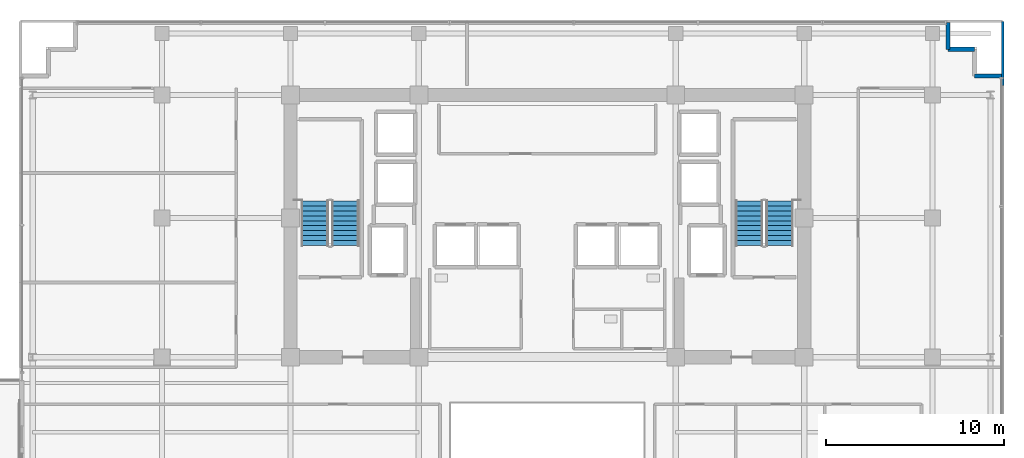
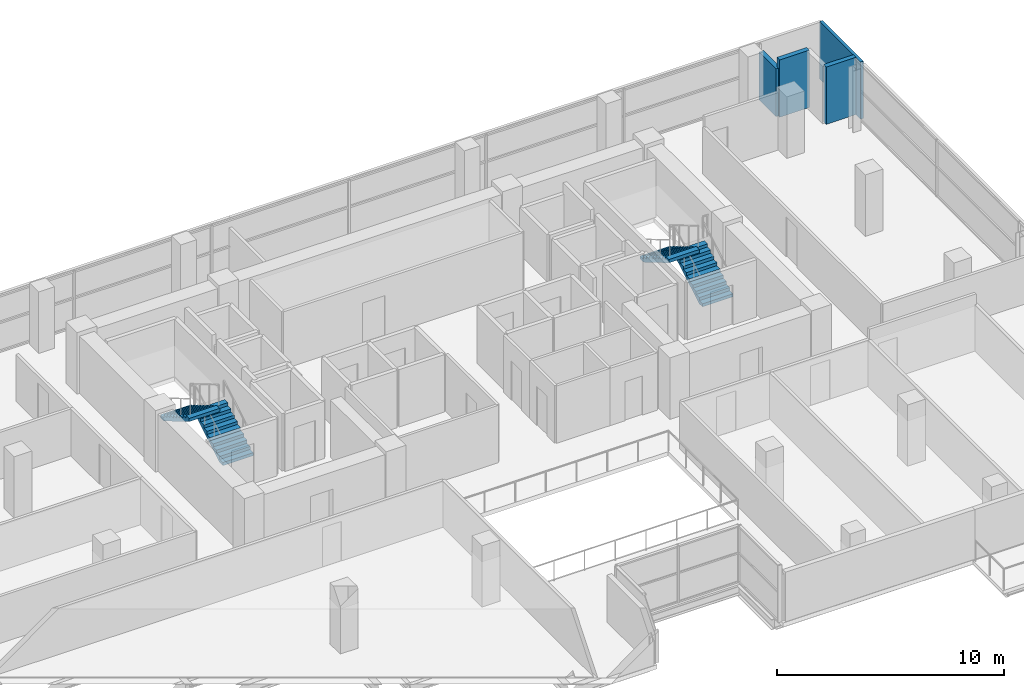
# One storey, part 23 of 28: 4 stair flights, 4 walls, 2 elements without a shape of their own.
"""IFC4 building model written with IfcOpenShell, lengths in metres."""

from ifc_helpers import new_model, si_unit, direction, frame, frame_2d, origin, place, context, subcontext, project, spatial, polyline, rectangle, outline, extrude, material, layer, layer_set, type_object, element, aggregate, save


model = new_model("IFC4")

# Units and contexts
model_context = context("Model", 3, precision=1e-05, world=origin(), true_north=direction((0.0, 1.0)))
body_context = subcontext(model_context, "Body", "Model", "MODEL_VIEW")
ifc_project = project(units=[si_unit("LENGTHUNIT", "METRE"), si_unit("AREAUNIT", "SQUARE_METRE"), si_unit("VOLUMEUNIT", "CUBIC_METRE"), si_unit("PLANEANGLEUNIT", "RADIAN"), si_unit("MASSUNIT", "GRAM", prefix="KILO")], contexts=[model_context])

# Site, building, storey
site_placement = place(None, origin())
site = spatial("IfcSite", under=ifc_project, at=site_placement, CompositionType="ELEMENT")
building_placement = place(site_placement, origin())
building = spatial("IfcBuilding", under=site, at=building_placement, Name="Zarnakvel Exchange Tower", CompositionType="ELEMENT")
storey_placement = place(building_placement, frame((0.0, 0.0, 103.300048828125)))
storey = spatial("IfcBuildingStorey", under=building, at=storey_placement, Name="L28", CompositionType="ELEMENT", Elevation=103.300048828125)

# Walls
ifc_material_1 = material(Name="Precast concrete C40/50", Category="concrete")
ifc_layer_1 = layer(ifc_material_1, 0.239990234375)
ifc_layer_set_1 = layer_set([ifc_layer_1], Name="Precast concrete C40/50")
wall_type_1 = type_object("IfcWallType", Name="EW-02", PredefinedType="SOLIDWALL", material=ifc_layer_set_1)
wall_1_placement = place(storey_placement, frame((22.4599609375, 16.06005859375, 0.0), z_axis=(0.0, 0.0, 1.0), x_axis=(0.0, 1.0, 0.0)))
element("IfcWall", 1, at=wall_1_placement, inside=storey, type_object=wall_type_1, Name="L28 Exterior Precast Spandrel Wall EWC-L28-07 (EW-02)", PredefinedType="SOLIDWALL", context=body_context, shape_type="SweptSolid", body=[
    extrude(rectangle(XDim=1.5, YDim=0.239990234375, at=frame_2d((0.75, 0.0))), origin(), (0.0, 0.0, 1.0), 2.56494140625),
])
for number, where, z_axis, x_axis, name in (
    (2, (23.9599609375, 16.06005859375, 0.0), (0.0, 0.0, 1.0), (-1.0, 0.0, 0.0), "L28 Exterior Precast Spandrel Wall EWC-L28-08 (EW-02)"),
    (3, (25.4599609375, 14.56005859375, 0.0), (0.0, 0.0, 1.0), (-1.0, 0.0, 0.0), "L28 Exterior Precast Spandrel Wall EWC-L28-10 (EW-02)"),
):
    element("IfcWall", number, at=place(storey_placement, frame(where, z_axis=z_axis, x_axis=x_axis)), inside=storey, type_object=wall_type_1, Name=name, PredefinedType="SOLIDWALL", context=body_context, shape_type="SweptSolid", body=[
        extrude(rectangle(XDim=1.5, YDim=0.239990234375, at=frame_2d((0.75, 0.0))), origin(), (0.0, 0.0, 1.0), 3.074951171875),
    ])
ifc_material_2 = material(Name="Fire-Rated Gypsum Stud Partition", Category="gypsum")
ifc_layer_2 = layer(ifc_material_2, 0.14990234375)
ifc_layer_set_2 = layer_set([ifc_layer_2], Name="Fire-Rated Gypsum Stud Partition")
wall_type_2 = type_object("IfcWallType", Name="PT-01", PredefinedType="PARTITIONING", material=ifc_layer_set_2)
wall_2_placement = place(storey_placement, frame((25.530029296875, 17.6298828125, 0.0), z_axis=(0.0, 0.0, 1.0), x_axis=(0.0, -1.0, 0.0)))
element("IfcWall", 4, at=wall_2_placement, inside=storey, type_object=wall_type_2, Name="L28 Partition Wall PWALL-L28-057 (PT-01)", PredefinedType="PARTITIONING", context=body_context, shape_type="SweptSolid", body=[
    extrude(rectangle(XDim=3.599853515625, YDim=0.14990234375, at=frame_2d((1.7998046875, 0.0))), origin(), (0.0, 0.0, 1.0), 3.074951171875),
])

# Stair, stair flights
ifc_material_3 = material(Name="Concrete C40/50", Category="concrete")
stair_type = type_object("IfcStairType", Name="STR-01", PredefinedType="HALF_TURN_STAIR", material=ifc_material_3)
stair_1_placement = place(storey_placement, origin())
stair_1 = element("IfcStair", 5, at=stair_1_placement, inside=storey, type_object=stair_type, Name="L28 Protected Core Exit Stair ST-01", PredefinedType="HALF_TURN_STAIR")
stair_flight_type = type_object("IfcStairFlightType", Name="FLT-01", PredefinedType="STRAIGHT", material=ifc_material_3)
stair_flight_1_placement = place(storey_placement, frame((-11.31494140625, 5.050048828125, 0.0), z_axis=(0.0, 0.0, 1.0), x_axis=(0.0, 1.0, 0.0)))
stair_flight_1 = element("IfcStairFlight", 6, at=stair_flight_1_placement, type_object=stair_flight_type, Name="ST-01 flight 1", NumberOfRisers=10, NumberOfTreads=9, PredefinedType="STRAIGHT", RiserHeight=0.165, TreadLength=0.28, context=body_context, shape_type="SweptSolid", body=[
    extrude(outline(polyline([(0.0, 0.0), (0.0, 0.1650390625), (0.280029296875, 0.1650390625), (0.280029296875, 0.330078125), (0.56005859375, 0.330078125), (0.56005859375, 0.4951171875), (0.840087890625, 0.4951171875), (0.840087890625, 0.659912109375), (1.1201171875, 0.659912109375), (1.1201171875, 0.824951171875), (1.39990234375, 0.824951171875), (1.39990234375, 0.989990234375), (1.679931640625, 0.989990234375), (1.679931640625, 1.155029296875), (1.9599609375, 1.155029296875), (1.9599609375, 1.320068359375), (2.239990234375, 1.320068359375), (2.239990234375, 1.485107421875), (2.52001953125, 1.485107421875), (2.52001953125, 1.64990234375), (2.52001953125, 1.31103515625), (0.295166015625, 0.0), (0.0, 0.0)])), frame((0.0, 0.77490234375, 0.0), z_axis=(0.0, -1.0, 0.0), x_axis=(1.0, 0.0, 0.0)), (0.0, 0.0, 1.0), 1.550048828125),
])
stair_flight_2_placement = place(storey_placement, frame((-13.02490234375, 7.570068359375, 1.64990234375), z_axis=(0.0, 0.0, 1.0), x_axis=(0.0, -1.0, 0.0)))
stair_flight_2 = element("IfcStairFlight", 7, at=stair_flight_2_placement, type_object=stair_flight_type, Name="ST-01 flight 2", NumberOfRisers=10, NumberOfTreads=9, PredefinedType="STRAIGHT", RiserHeight=0.165, TreadLength=0.28, context=body_context, shape_type="SweptSolid", body=[
    extrude(outline(polyline([(0.0, 0.0), (0.0, 0.1650390625), (0.280029296875, 0.1650390625), (0.280029296875, 0.330078125), (0.56005859375, 0.330078125), (0.56005859375, 0.4951171875), (0.840087890625, 0.4951171875), (0.840087890625, 0.659912109375), (1.1201171875, 0.659912109375), (1.1201171875, 0.824951171875), (1.39990234375, 0.824951171875), (1.39990234375, 0.989990234375), (1.679931640625, 0.989990234375), (1.679931640625, 1.155029296875), (1.9599609375, 1.155029296875), (1.9599609375, 1.320068359375), (2.239990234375, 1.320068359375), (2.239990234375, 1.485107421875), (2.52001953125, 1.485107421875), (2.52001953125, 1.64990234375), (2.52001953125, 1.31103515625), (0.295166015625, 0.0), (0.0, 0.0)])), frame((0.0, 0.77490234375, 0.0), z_axis=(0.0, -1.0, 0.0), x_axis=(1.0, 0.0, 0.0)), (0.0, 0.0, 1.0), 1.550048828125),
])
aggregate(stair_1, [stair_flight_1, stair_flight_2])

stair_2_placement = place(storey_placement, origin())
stair_2 = element("IfcStair", 8, at=stair_2_placement, inside=storey, type_object=stair_type, Name="L28 Protected Core Exit Stair ST-02", PredefinedType="HALF_TURN_STAIR")
stair_flight_3_placement = place(storey_placement, frame((13.02490234375, 5.050048828125, 0.0), z_axis=(0.0, 0.0, 1.0), x_axis=(0.0, 1.0, 0.0)))
stair_flight_3 = element("IfcStairFlight", 9, at=stair_flight_3_placement, type_object=stair_flight_type, Name="ST-02 flight 1", NumberOfRisers=10, NumberOfTreads=9, PredefinedType="STRAIGHT", RiserHeight=0.165, TreadLength=0.28, context=body_context, shape_type="SweptSolid", body=[
    extrude(outline(polyline([(0.0, 0.0), (0.0, 0.1650390625), (0.280029296875, 0.1650390625), (0.280029296875, 0.330078125), (0.56005859375, 0.330078125), (0.56005859375, 0.4951171875), (0.840087890625, 0.4951171875), (0.840087890625, 0.659912109375), (1.1201171875, 0.659912109375), (1.1201171875, 0.824951171875), (1.39990234375, 0.824951171875), (1.39990234375, 0.989990234375), (1.679931640625, 0.989990234375), (1.679931640625, 1.155029296875), (1.9599609375, 1.155029296875), (1.9599609375, 1.320068359375), (2.239990234375, 1.320068359375), (2.239990234375, 1.485107421875), (2.52001953125, 1.485107421875), (2.52001953125, 1.64990234375), (2.52001953125, 1.31103515625), (0.295166015625, 0.0), (0.0, 0.0)])), frame((0.0, 0.77490234375, 0.0), z_axis=(0.0, -1.0, 0.0), x_axis=(1.0, 0.0, 0.0)), (0.0, 0.0, 1.0), 1.550048828125),
])
stair_flight_4_placement = place(storey_placement, frame((11.31494140625, 7.570068359375, 1.64990234375), z_axis=(0.0, 0.0, 1.0), x_axis=(0.0, -1.0, 0.0)))
stair_flight_4 = element("IfcStairFlight", 10, at=stair_flight_4_placement, type_object=stair_flight_type, Name="ST-02 flight 2", NumberOfRisers=10, NumberOfTreads=9, PredefinedType="STRAIGHT", RiserHeight=0.165, TreadLength=0.28, context=body_context, shape_type="SweptSolid", body=[
    extrude(outline(polyline([(0.0, 0.0), (0.0, 0.1650390625), (0.280029296875, 0.1650390625), (0.280029296875, 0.330078125), (0.56005859375, 0.330078125), (0.56005859375, 0.4951171875), (0.840087890625, 0.4951171875), (0.840087890625, 0.659912109375), (1.1201171875, 0.659912109375), (1.1201171875, 0.824951171875), (1.39990234375, 0.824951171875), (1.39990234375, 0.989990234375), (1.679931640625, 0.989990234375), (1.679931640625, 1.155029296875), (1.9599609375, 1.155029296875), (1.9599609375, 1.320068359375), (2.239990234375, 1.320068359375), (2.239990234375, 1.485107421875), (2.52001953125, 1.485107421875), (2.52001953125, 1.64990234375), (2.52001953125, 1.31103515625), (0.295166015625, 0.0), (0.0, 0.0)])), frame((0.0, 0.77490234375, 0.0), z_axis=(0.0, -1.0, 0.0), x_axis=(1.0, 0.0, 0.0)), (0.0, 0.0, 1.0), 1.550048828125),
])
aggregate(stair_2, [stair_flight_3, stair_flight_4])

save(model, "model.ifc")
